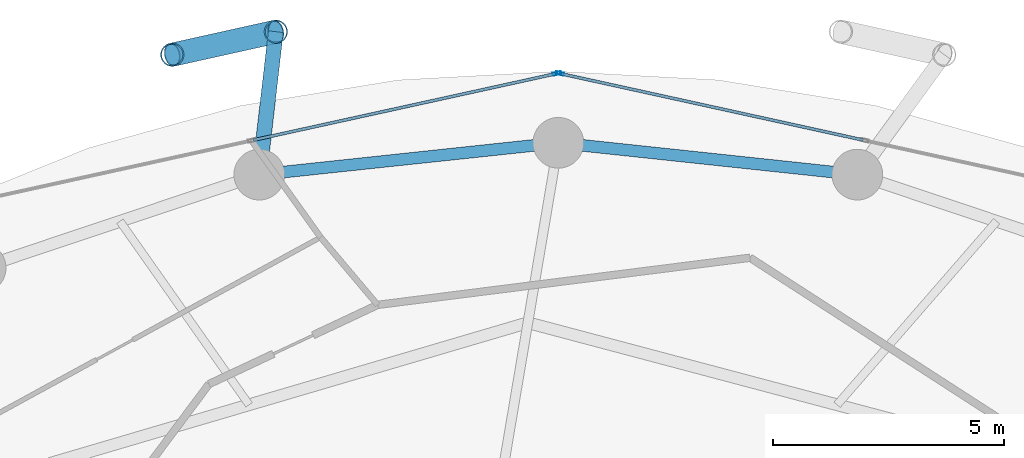
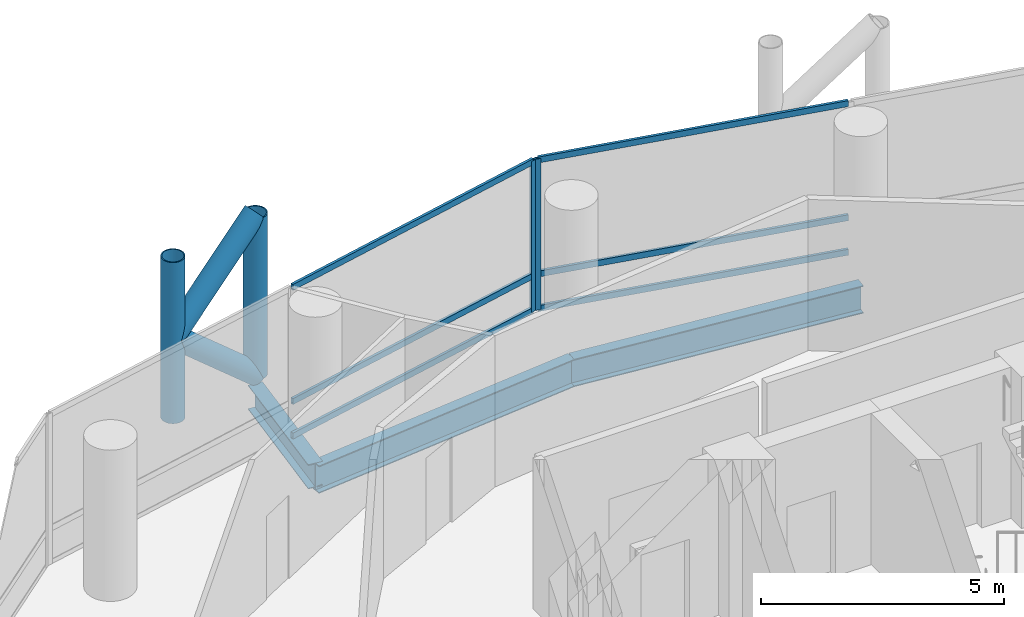
# One storey, part 16 of 24: 12 members, 3 beams, 2 elements without a shape of their own.
"""IFC4 building model written with IfcOpenShell, lengths in metres."""

from ifc_helpers import new_model, si_unit, direction, frame, origin, origin_2d, place, context, subcontext, project, spatial, hollow_rectangle, hollow_circle, i_section, extrude, material, layer, layer_set, material_profile, profile_set, type_object, element, aggregate, save


model = new_model("IFC4")

# Units and contexts
model_context = context("Model", 3, precision=1e-05, world=origin(), true_north=direction((0.0, 1.0)))
body_context = subcontext(model_context, "Body", "Model", "MODEL_VIEW")
ifc_project = project(units=[si_unit("LENGTHUNIT", "METRE"), si_unit("AREAUNIT", "SQUARE_METRE"), si_unit("VOLUMEUNIT", "CUBIC_METRE"), si_unit("PLANEANGLEUNIT", "RADIAN"), si_unit("MASSUNIT", "GRAM", prefix="KILO")], contexts=[model_context])

# Site, building, storey
site_placement = place(None, origin())
site = spatial("IfcSite", under=ifc_project, at=site_placement, CompositionType="ELEMENT")
building_placement = place(site_placement, origin())
building = spatial("IfcBuilding", under=site, at=building_placement, Name="Nuhasar Tower", CompositionType="ELEMENT")
storey_placement = place(building_placement, frame((0.0, 0.0, 81.75)))
storey = spatial("IfcBuildingStorey", under=building, at=storey_placement, Name="L19", CompositionType="ELEMENT", Elevation=81.75)

# Beams
ifc_material_1 = material(Name="Steel S355", Category="steel")
ifc_material_profile_1 = material_profile(ifc_material_1, i_section(OverallWidth=0.256103515625, OverallDepth=0.693115234375, WebThickness=0.014404296875, FlangeThickness=0.023681640625, at=origin_2d()), Name="W27X114")
ifc_profile_set_1 = profile_set([ifc_material_profile_1], Name="Steel S355")
beam_type_1 = type_object("IfcBeamType", Name="BM-RING-W27X114", PredefinedType="SPANDREL", material=ifc_profile_set_1)
for number, where, z_axis, x_axis, name in (
    (1, (45.48291015625, 46.360107421875, -0.596923828125), (-0.994384554061, 0.105827022286, 0.0), (-0.105827022286, -0.994384554061, 0.0), "L19 Perimeter Ring Spandrel 06"),
    (2, (39.0, 47.050048828125, -0.596923828125), (-0.994384554061, -0.105827022286, 0.0), (0.105827022286, -0.994384554061, 0.0), "L19 Perimeter Ring Spandrel 07"),
):
    element("IfcBeam", number, at=place(storey_placement, frame(where, z_axis=z_axis, x_axis=x_axis)), inside=storey, type_object=beam_type_1, Name=name, PredefinedType="SPANDREL", context=body_context, shape_type="SweptSolid", body=[
        extrude(i_section(OverallWidth=0.256103515625, OverallDepth=0.693115234375, WebThickness=0.014404296875, FlangeThickness=0.023681640625, at=origin_2d()), origin(), (0.0, 0.0, 1.0), 6.51953125),
    ])
ifc_material_profile_2 = material_profile(ifc_material_1, i_section(OverallWidth=0.323974609375, OverallDepth=0.611083984375, WebThickness=0.0126953125, FlangeThickness=0.01904296875, at=origin_2d()), Name="W24X104")
ifc_profile_set_2 = profile_set([ifc_material_profile_2], Name="Steel S355")
beam_type_2 = type_object("IfcBeamType", Name="BM-TIE-W24X104", PredefinedType="BEAM", material=ifc_profile_set_2)
beam_placement = place(storey_placement, frame((32.51708984375, 46.360107421875, -0.554931640625), z_axis=(0.115042934281, 0.993360520291, 0.0), x_axis=(-0.993360520291, 0.115042934281, 0.0)))
element("IfcBeam", 3, at=beam_placement, inside=storey, type_object=beam_type_2, Name="L19 Exoskeleton Node Tie Beam 04", PredefinedType="BEAM", context=body_context, shape_type="SweptSolid", body=[
    extrude(i_section(OverallWidth=0.323974609375, OverallDepth=0.611083984375, WebThickness=0.0126953125, FlangeThickness=0.01904296875, at=origin_2d()), origin(), (0.0, 0.0, 1.0), 3.11962890625),
])

# Curtain wall, member
ifc_material_2 = material(Name="Aluminium 6063-T6", Category="aluminium")
ifc_layer = layer(ifc_material_2, 0.199951171875)
ifc_layer_set = layer_set([ifc_layer], Name="Aluminium 6063-T6")
curtain_wall_type = type_object("IfcCurtainWallType", Name="CW-Z1-OFF", PredefinedType="NOTDEFINED", material=ifc_layer_set)
curtain_wall_1_placement = place(storey_placement, origin())
curtain_wall_1 = element("IfcCurtainWall", 4, at=curtain_wall_1_placement, inside=storey, type_object=curtain_wall_type, Name="L19 Unitised Curtain Wall 03", PredefinedType="NOTDEFINED")
ifc_material_profile_3 = material_profile(ifc_material_2, hollow_rectangle(XDim=0.06494140625, YDim=0.179931640625, WallThickness=0.0048828125, at=origin_2d()), Name="CWM-2")
ifc_profile_set_3 = profile_set([ifc_material_profile_3], Name="Aluminium 6063-T6")
member_type_1 = type_object("IfcMemberType", Name="CW-MUL-S2", PredefinedType="MULLION", material=ifc_profile_set_3)
member_1_placement = place(storey_placement, frame((39.03173828125, 48.552978515625, 0.0), z_axis=(0.0, 0.0, 1.0), x_axis=(-0.214398737637, -0.976746221544, 0.0)))
member_1 = element("IfcMember", 5, at=member_1_placement, type_object=member_type_1, Name="CW-Z1 mullion 3", PredefinedType="MULLION", context=body_context, shape_type="SweptSolid", body=[
    extrude(hollow_rectangle(XDim=0.06494140625, YDim=0.179931640625, WallThickness=0.0048828125, at=origin_2d()), origin(), (0.0, 0.0, 1.0), 3.800048828125),
])

curtain_wall_2_placement = place(storey_placement, origin())
curtain_wall_2 = element("IfcCurtainWall", 6, at=curtain_wall_2_placement, inside=storey, type_object=curtain_wall_type, Name="L19 Unitised Curtain Wall 04", PredefinedType="NOTDEFINED")
member_2_placement = place(storey_placement, frame((38.96826171875, 48.552978515625, 0.0), z_axis=(0.0, 0.0, 1.0), x_axis=(0.214398737637, -0.976746221544, 0.0)))
member_2 = element("IfcMember", 7, at=member_2_placement, type_object=member_type_1, Name="CW-Z1 mullion 1", PredefinedType="MULLION", context=body_context, shape_type="SweptSolid", body=[
    extrude(hollow_rectangle(XDim=0.06494140625, YDim=0.179931640625, WallThickness=0.0048828125, at=origin_2d()), origin(), (0.0, 0.0, 1.0), 3.800048828125),
])

# Member
ifc_material_profile_4 = material_profile(ifc_material_2, hollow_rectangle(XDim=0.06494140625, YDim=0.14990234375, WallThickness=0.00439453125, at=origin_2d()), Name="CWT-2")
ifc_profile_set_4 = profile_set([ifc_material_profile_4], Name="Aluminium 6063-T6")
member_type_2 = type_object("IfcMemberType", Name="CW-TRN-S2", PredefinedType="USERDEFINED", material=ifc_profile_set_4)
member_3_placement = place(storey_placement, frame((45.608154296875, 47.109375, 0.032470703125), z_axis=(-0.976740248595, 0.214425947065, 0.0), x_axis=(-0.214425947065, -0.976740248595, 0.0)))
member_3 = element("IfcMember", 8, at=member_3_placement, type_object=member_type_2, Name="CW-Z1 transom 2.1", ObjectType="TRANSOM", PredefinedType="USERDEFINED", context=body_context, shape_type="SweptSolid", body=[
    extrude(hollow_rectangle(XDim=0.06494140625, YDim=0.14990234375, WallThickness=0.00439453125, at=origin_2d()), origin(), (0.0, 0.0, 1.0), 6.700439453125),
])

member_4_placement = place(storey_placement, frame((45.608154296875, 47.109375, 0.89990234375), z_axis=(-0.976740248595, 0.214425947065, 0.0), x_axis=(-0.214425947065, -0.976740248595, 0.0)))
member_4 = element("IfcMember", 9, at=member_4_placement, type_object=member_type_2, Name="CW-Z1 transom 2.2", ObjectType="TRANSOM", PredefinedType="USERDEFINED", context=body_context, shape_type="SweptSolid", body=[
    extrude(hollow_rectangle(XDim=0.06494140625, YDim=0.14990234375, WallThickness=0.00439453125, at=origin_2d()), origin(), (0.0, 0.0, 1.0), 6.700439453125),
])

member_5_placement = place(storey_placement, frame((45.608154296875, 47.109375, 3.767578125), z_axis=(-0.976740248595, 0.214425947065, 0.0), x_axis=(-0.214425947065, -0.976740248595, 0.0)))
member_5 = element("IfcMember", 10, at=member_5_placement, type_object=member_type_2, Name="CW-Z1 transom 2.3", ObjectType="TRANSOM", PredefinedType="USERDEFINED", context=body_context, shape_type="SweptSolid", body=[
    extrude(hollow_rectangle(XDim=0.06494140625, YDim=0.14990234375, WallThickness=0.00439453125, at=origin_2d()), origin(), (0.0, 0.0, 1.0), 6.700439453125),
])

aggregate(curtain_wall_1, [member_1, member_3, member_4, member_5])

member_6_placement = place(storey_placement, frame((38.9365234375, 48.546142578125, 0.032470703125), z_axis=(-0.976740248595, -0.214425947065, 0.0), x_axis=(0.214425947065, -0.976740248595, 0.0)))
member_6 = element("IfcMember", 11, at=member_6_placement, type_object=member_type_2, Name="CW-Z1 transom 1.1", ObjectType="TRANSOM", PredefinedType="USERDEFINED", context=body_context, shape_type="SweptSolid", body=[
    extrude(hollow_rectangle(XDim=0.06494140625, YDim=0.14990234375, WallThickness=0.00439453125, at=origin_2d()), origin(), (0.0, 0.0, 1.0), 6.700439453125),
])

member_7_placement = place(storey_placement, frame((38.9365234375, 48.546142578125, 0.89990234375), z_axis=(-0.976740248595, -0.214425947065, 0.0), x_axis=(0.214425947065, -0.976740248595, 0.0)))
member_7 = element("IfcMember", 12, at=member_7_placement, type_object=member_type_2, Name="CW-Z1 transom 1.2", ObjectType="TRANSOM", PredefinedType="USERDEFINED", context=body_context, shape_type="SweptSolid", body=[
    extrude(hollow_rectangle(XDim=0.06494140625, YDim=0.14990234375, WallThickness=0.00439453125, at=origin_2d()), origin(), (0.0, 0.0, 1.0), 6.700439453125),
])

member_8_placement = place(storey_placement, frame((38.9365234375, 48.546142578125, 3.767578125), z_axis=(-0.976740248595, -0.214425947065, 0.0), x_axis=(0.214425947065, -0.976740248595, 0.0)))
member_8 = element("IfcMember", 13, at=member_8_placement, type_object=member_type_2, Name="CW-Z1 transom 1.3", ObjectType="TRANSOM", PredefinedType="USERDEFINED", context=body_context, shape_type="SweptSolid", body=[
    extrude(hollow_rectangle(XDim=0.06494140625, YDim=0.14990234375, WallThickness=0.00439453125, at=origin_2d()), origin(), (0.0, 0.0, 1.0), 6.700439453125),
])

aggregate(curtain_wall_2, [member_2, member_6, member_7, member_8])

# Members
ifc_material_3 = material(Name="Steel S460", Category="steel")
ifc_material_profile_5 = material_profile(ifc_material_3, hollow_circle(Radius=0.25390625, WallThickness=0.025390625, at=origin_2d()), Name="HSS508X25.4")
ifc_profile_set_5 = profile_set([ifc_material_profile_5], Name="Steel S460")
member_type_3 = type_object("IfcMemberType", Name="EXO-BRONZE-508", PredefinedType="BRACE", material=ifc_profile_set_5)
for number, where, z_axis, x_axis, name in (
    (14, (32.8759765625, 49.458984375, 0.0), (0.0, 0.0, 1.0), (1.0, 0.0, 0.0), "L19 Exoskeleton Chord Column EC-04A"),
    (15, (30.6298828125, 48.9599609375, 0.0), (0.0, 0.0, 1.0), (1.0, 0.0, 0.0), "L19 Exoskeleton Chord Column EC-04B"),
):
    element("IfcMember", number, at=place(storey_placement, frame(where, z_axis=z_axis, x_axis=x_axis)), inside=storey, type_object=member_type_3, Name=name, PredefinedType="BRACE", context=body_context, shape_type="SweptSolid", body=[
        extrude(hollow_circle(Radius=0.25390625, WallThickness=0.025390625, at=origin_2d()), origin(), (0.0, 0.0, 1.0), 4.050048828125),
    ])
member_9_placement = place(storey_placement, frame((32.8759765625, 49.458984375, 0.0), z_axis=(-0.732821471909, -0.162813813976, 0.660654487828), x_axis=(0.216885517571, -0.97619704582, 0.0)))
element("IfcMember", 16, at=member_9_placement, inside=storey, type_object=member_type_3, Name="L19 Bronze Diagrid Brace W1-04", PredefinedType="BRACE", context=body_context, shape_type="SweptSolid", body=[
    extrude(hollow_circle(Radius=0.25390625, WallThickness=0.025390625, at=origin_2d()), origin(), (0.0, 0.0, 1.0), 3.06494140625),
])
member_10_placement = place(storey_placement, frame((30.6298828125, 48.9599609375, 2.02490234375), z_axis=(0.732782908552, 0.162805246204, 0.660699372439), x_axis=(-0.216885517571, 0.97619704582, 0.0)))
element("IfcMember", 17, at=member_10_placement, inside=storey, type_object=member_type_3, Name="L19 Bronze Diagrid Brace W2-04", PredefinedType="BRACE", context=body_context, shape_type="SweptSolid", body=[
    extrude(hollow_circle(Radius=0.25390625, WallThickness=0.025390625, at=origin_2d()), origin(), (0.0, 0.0, 1.0), 3.065185546875),
])

save(model, "model.ifc")
